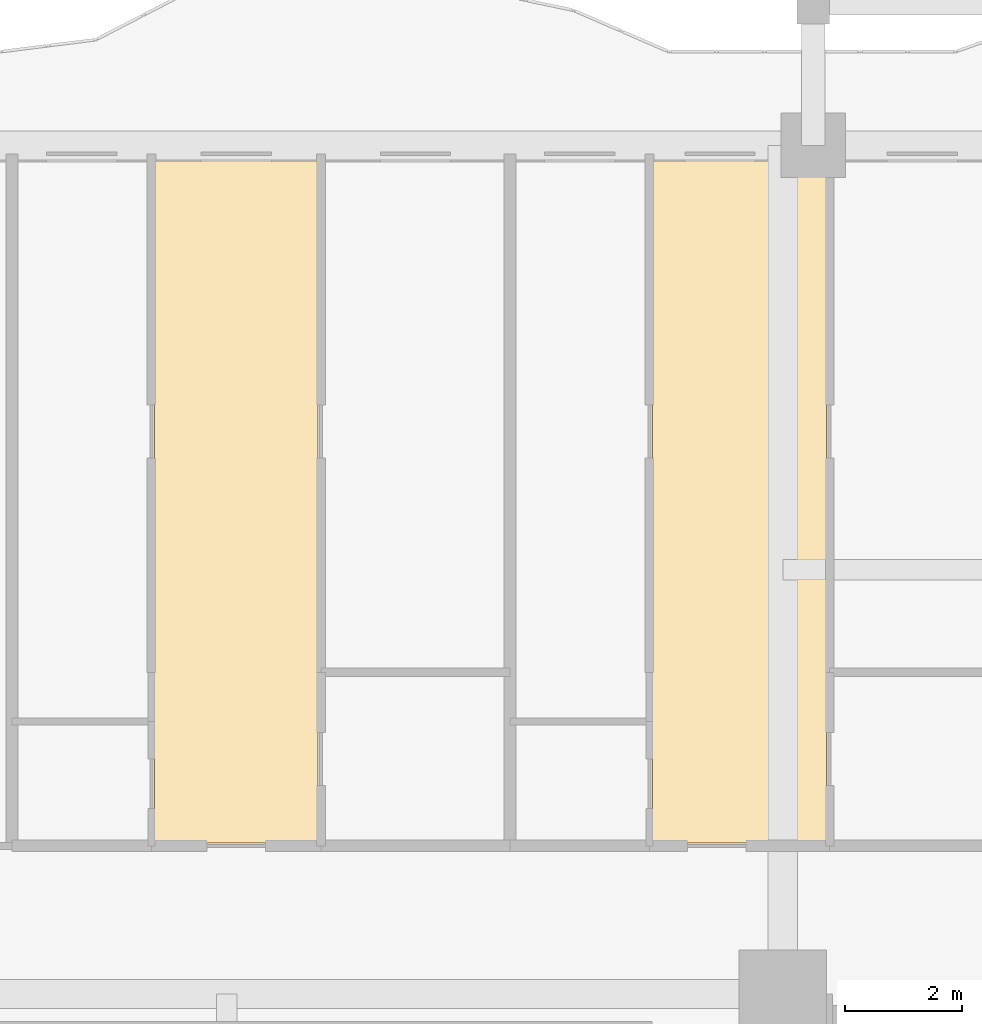
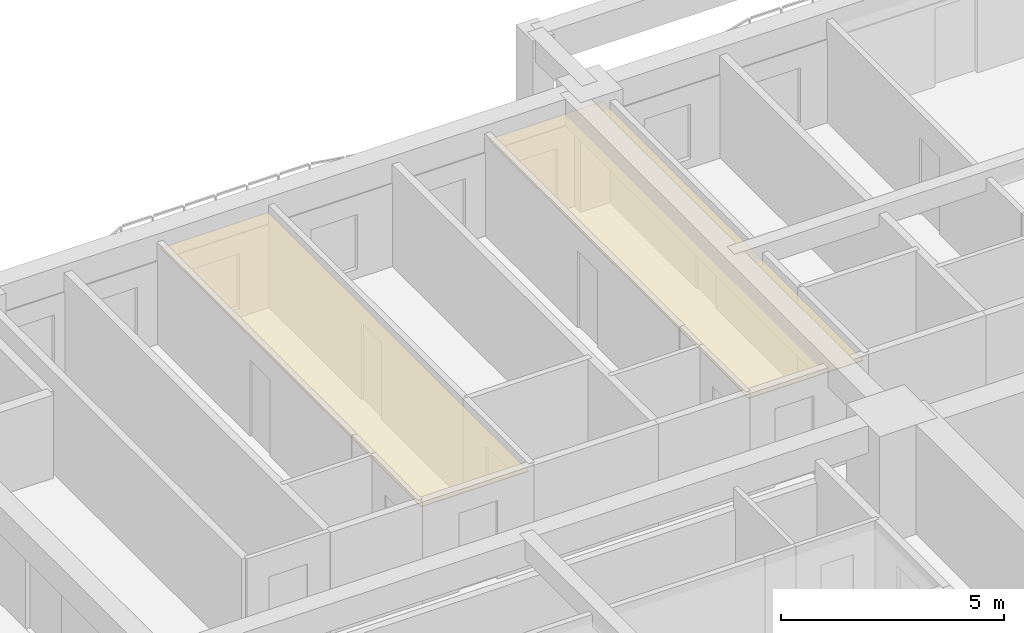
# One storey, part 15 of 16: 2 coverings.
"""IFC4 building model written with IfcOpenShell, lengths in metres."""

from ifc_helpers import new_model, si_unit, direction, frame, origin, place, context, subcontext, project, spatial, polyline, outline, extrude, material, layer, layer_set, type_object, element, save


model = new_model("IFC4")

# Units and contexts
model_context = context("Model", 3, precision=1e-05, world=origin(), true_north=direction((0.0, 1.0)))
body_context = subcontext(model_context, "Body", "Model", "MODEL_VIEW")
ifc_project = project(units=[si_unit("LENGTHUNIT", "METRE"), si_unit("AREAUNIT", "SQUARE_METRE"), si_unit("VOLUMEUNIT", "CUBIC_METRE"), si_unit("PLANEANGLEUNIT", "RADIAN"), si_unit("MASSUNIT", "GRAM", prefix="KILO")], contexts=[model_context])

# Site, building, storey
site_placement = place(None, origin())
site = spatial("IfcSite", under=ifc_project, at=site_placement, CompositionType="ELEMENT")
building_placement = place(site_placement, origin())
building = spatial("IfcBuilding", under=site, at=building_placement, Name="Saelheon Loggia Tower", CompositionType="ELEMENT")
storey_placement = place(building_placement, frame((0.0, 0.0, 58.39990234375)))
storey = spatial("IfcBuildingStorey", under=building, at=storey_placement, Name="L18", CompositionType="ELEMENT", Elevation=58.39990234375)

# Coverings
ifc_material = material(Name="Mineral-Fibre Acoustic Ceiling Board", Category="gypsum")
ifc_layer = layer(ifc_material, 0.02490234375)
ifc_layer_set = layer_set([ifc_layer], Name="Mineral-Fibre Acoustic Ceiling Board")
covering_type = type_object("IfcCoveringType", Name="Cov_Ceiling_Acoustic", PredefinedType="CEILING", material=ifc_layer_set)
covering_1_placement = place(storey_placement, frame((0.0, 0.0, 2.53515625)))
element("IfcCovering", 1, at=covering_1_placement, inside=storey, type_object=covering_type, Name="L18 Acoustic Suspended Ceiling", PredefinedType="CEILING", context=body_context, shape_type="SweptSolid", body=[
    extrude(outline(polyline([(20.259521484375, 39.10009765625), (23.048828125, 39.10009765625), (23.048828125, 50.800048828125), (20.259521484375, 50.800048828125), (20.259521484375, 39.10009765625)])), origin(), (0.0, 0.0, 1.0), 0.02490234375),
])
covering_2_placement = place(storey_placement, frame((0.0, 0.0, 2.53515625)))
element("IfcCovering", 2, at=covering_2_placement, inside=storey, type_object=covering_type, Name="L18 Acoustic Suspended Ceiling", PredefinedType="CEILING", context=body_context, shape_type="SweptSolid", body=[
    extrude(outline(polyline([(28.75732421875, 39.10009765625), (31.72998046875, 39.10009765625), (31.72998046875, 50.800048828125), (28.75732421875, 50.800048828125), (28.75732421875, 39.10009765625)])), origin(), (0.0, 0.0, 1.0), 0.02490234375),
])

save(model, "model.ifc")
